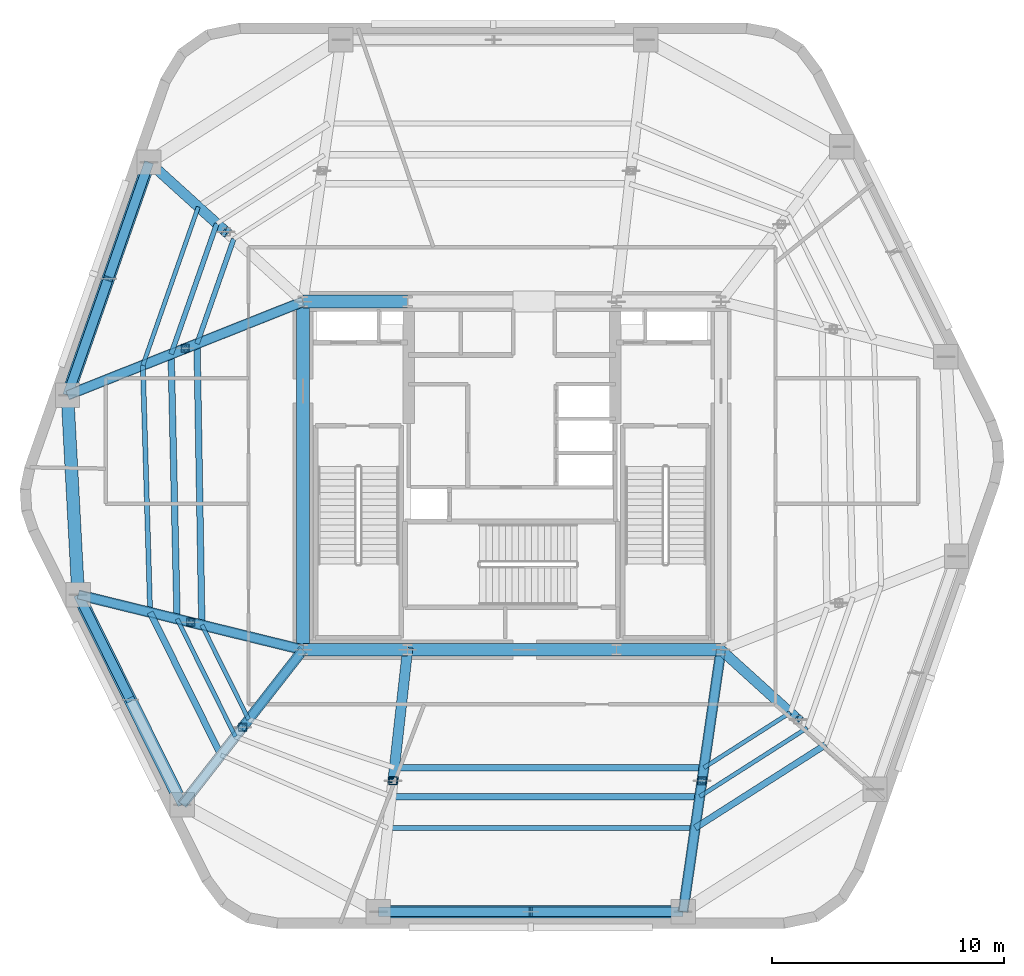
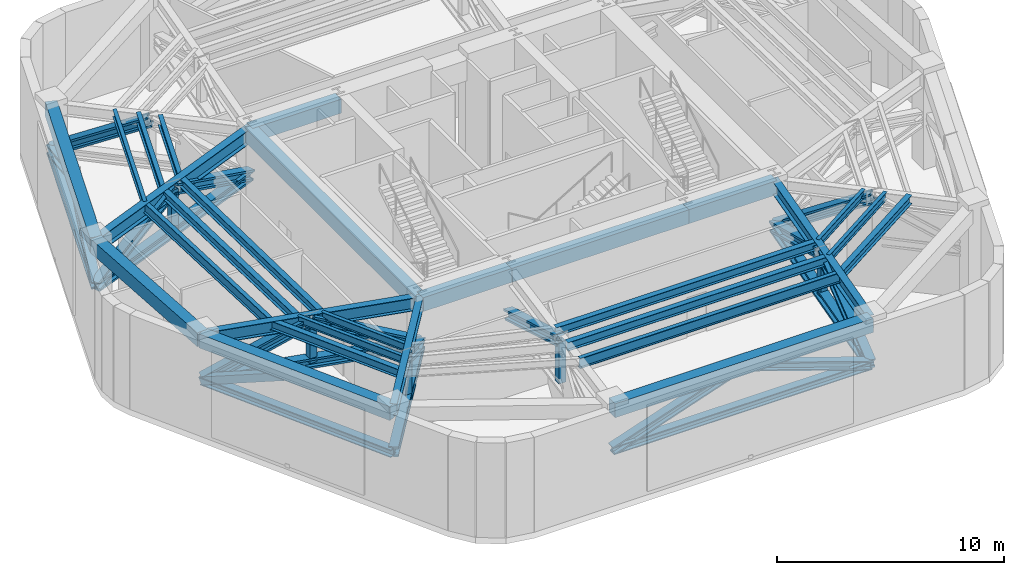
# One storey, part 2 of 10: 28 beams, 27 members.
"""IFC4 building model written with IfcOpenShell, lengths in metres."""

from ifc_helpers import new_model, si_unit, direction, frame, origin, origin_2d, place, context, subcontext, project, spatial, rectangle, hollow_rectangle, i_section, extrude, material, material_profile, profile_set, type_object, element, save


model = new_model("IFC4")

# Units and contexts
model_context = context("Model", 3, precision=1e-05, world=origin(), true_north=direction((0.0, 1.0)))
body_context = subcontext(model_context, "Body", "Model", "MODEL_VIEW")
ifc_project = project(units=[si_unit("LENGTHUNIT", "METRE"), si_unit("AREAUNIT", "SQUARE_METRE"), si_unit("VOLUMEUNIT", "CUBIC_METRE"), si_unit("PLANEANGLEUNIT", "RADIAN"), si_unit("MASSUNIT", "GRAM", prefix="KILO")], contexts=[model_context])

# Site, building, storey
site_placement = place(None, origin())
site = spatial("IfcSite", under=ifc_project, at=site_placement, CompositionType="ELEMENT")
building_placement = place(site_placement, origin())
building = spatial("IfcBuilding", under=site, at=building_placement, Name="Kilnhurst Terrace Hotel", CompositionType="ELEMENT")
storey_placement = place(building_placement, frame((0.0, 0.0, 170.199951171875)))
storey = spatial("IfcBuildingStorey", under=building, at=storey_placement, Name="L42", CompositionType="ELEMENT", Elevation=170.199951171875)

# Beams
ifc_material_1 = material(Name="Concrete C50/60", Category="concrete")
ifc_material_profile_1 = material_profile(ifc_material_1, rectangle(XDim=0.550048828125, YDim=0.75, at=origin_2d()), Name="RC550X750")
ifc_profile_set_1 = profile_set([ifc_material_profile_1], Name="Concrete C50/60")
beam_type_1 = type_object("IfcBeamType", Name="BM-SPN-550X750", PredefinedType="SPANDREL", material=ifc_profile_set_1)
for number, where, z_axis, x_axis, name in (
    (1, (-9.0, 7.5, 4.72509765625), (1.0, 0.0, 0.0), (0.0, 1.0, 0.0), "L42 Core Tie Beam CC-NW to CC-NC1"),
    (2, (-9.0, -7.5, 4.72509765625), (1.0, 0.0, 0.0), (0.0, 1.0, 0.0), "L42 Core Tie Beam CC-SW to CC-SC1"),
):
    element("IfcBeam", number, at=place(storey_placement, frame(where, z_axis=z_axis, x_axis=x_axis)), inside=storey, type_object=beam_type_1, Name=name, PredefinedType="SPANDREL", context=body_context, shape_type="SweptSolid", body=[
        extrude(rectangle(XDim=0.550048828125, YDim=0.75, at=origin_2d()), origin(), (0.0, 0.0, 1.0), 4.5),
    ])
beam_1_placement = place(storey_placement, frame((-4.5, -7.5, 4.72509765625), z_axis=(1.0, 0.0, 0.0), x_axis=(0.0, 1.0, 0.0)))
element("IfcBeam", 3, at=beam_1_placement, inside=storey, type_object=beam_type_1, Name="L42 Core Tie Beam CC-SC1 to CC-SC2", PredefinedType="SPANDREL", context=body_context, shape_type="SweptSolid", body=[
    extrude(rectangle(XDim=0.550048828125, YDim=0.75, at=origin_2d()), origin(), (0.0, 0.0, 1.0), 9.0),
])
beam_2_placement = place(storey_placement, frame((4.5, -7.5, 4.72509765625), z_axis=(1.0, 0.0, 0.0), x_axis=(0.0, 1.0, 0.0)))
element("IfcBeam", 4, at=beam_2_placement, inside=storey, type_object=beam_type_1, Name="L42 Core Tie Beam CC-SC2 to CC-SE", PredefinedType="SPANDREL", context=body_context, shape_type="SweptSolid", body=[
    extrude(rectangle(XDim=0.550048828125, YDim=0.75, at=origin_2d()), origin(), (0.0, 0.0, 1.0), 4.5),
])
beam_3_placement = place(storey_placement, frame((-9.0, -7.5, 4.72509765625), z_axis=(0.0, 1.0, 0.0), x_axis=(-1.0, 0.0, 0.0)))
element("IfcBeam", 5, at=beam_3_placement, inside=storey, type_object=beam_type_1, Name="L42 Core Tie Beam CC-SW to CC-NW", PredefinedType="SPANDREL", context=body_context, shape_type="SweptSolid", body=[
    extrude(rectangle(XDim=0.550048828125, YDim=0.75, at=origin_2d()), origin(), (0.0, 0.0, 1.0), 15.0),
])
beam_4_placement = place(storey_placement, frame((-5.7548828125, -18.780029296875, 4.72509765625), z_axis=(1.0, 0.0, 0.0), x_axis=(0.0, 1.0, 0.0)))
element("IfcBeam", 6, at=beam_4_placement, inside=storey, type_object=beam_type_1, Name="L42 Perimeter Spandrel Beam 1", PredefinedType="SPANDREL", context=body_context, shape_type="SweptSolid", body=[
    extrude(rectangle(XDim=0.550048828125, YDim=0.75, at=origin_2d()), origin(), (0.0, 0.0, 1.0), 13.123779296875),
])
beam_5_placement = place(storey_placement, frame((-15.633056640625, 13.5048828125, 4.72509765625), z_axis=(-0.330488460168, -0.943810032632, 0.0), x_axis=(0.943810032632, -0.330488460168, 0.0)))
element("IfcBeam", 7, at=beam_5_placement, inside=storey, type_object=beam_type_1, Name="L42 Perimeter Spandrel Beam 9", PredefinedType="SPANDREL", context=body_context, shape_type="SweptSolid", body=[
    extrude(rectangle(XDim=0.550048828125, YDim=0.75, at=origin_2d()), origin(), (0.0, 0.0, 1.0), 10.635498046875),
])
beam_6_placement = place(storey_placement, frame((-19.14794921875, 3.467041015625, 4.72509765625), z_axis=(0.053576072051, -0.998563770875, 0.0), x_axis=(0.998563770875, 0.053576072051, 0.0)))
element("IfcBeam", 8, at=beam_6_placement, inside=storey, type_object=beam_type_1, Name="L42 Perimeter Spandrel Beam 10", PredefinedType="SPANDREL", context=body_context, shape_type="SweptSolid", body=[
    extrude(rectangle(XDim=0.550048828125, YDim=0.75, at=origin_2d()), origin(), (0.0, 0.0, 1.0), 8.603515625),
])
beam_7_placement = place(storey_placement, frame((-18.68701171875, -5.1240234375, 4.72509765625), z_axis=(0.444192032261, -0.895931603682, 0.0), x_axis=(0.895931603682, 0.444192032261, 0.0)))
element("IfcBeam", 9, at=beam_7_placement, inside=storey, type_object=beam_type_1, Name="L42 Perimeter Spandrel Beam 11", PredefinedType="SPANDREL", context=body_context, shape_type="SweptSolid", body=[
    extrude(rectangle(XDim=0.550048828125, YDim=0.75, at=origin_2d()), origin(), (0.0, 0.0, 1.0), 10.09228515625),
])
ifc_material_2 = material(Name="Steel ASTM A992 Grade 50", Category="steel")
ifc_material_profile_2 = material_profile(ifc_material_2, i_section(OverallWidth=0.3251953125, OverallDepth=0.6162109375, WebThickness=0.013916015625, FlangeThickness=0.021484375, at=origin_2d()), Name="W24X117")
ifc_profile_set_2 = profile_set([ifc_material_profile_2], Name="Steel ASTM A992 Grade 50")
beam_type_2 = type_object("IfcBeamType", Name="BM-STL-W24X117", PredefinedType="BEAM", material=ifc_profile_set_2)
beam_8_placement = place(storey_placement, frame((-9.0, -7.5, 4.7919921875), z_axis=(-0.615370616457, -0.78823791104, 0.0), x_axis=(0.78823791104, -0.615370616457, 0.0)))
element("IfcBeam", 10, at=beam_8_placement, inside=storey, type_object=beam_type_2, Name="L42 Radial Floor Beam 12", PredefinedType="BEAM", context=body_context, shape_type="SweptSolid", body=[
    extrude(i_section(OverallWidth=0.3251953125, OverallDepth=0.6162109375, WebThickness=0.013916015625, FlangeThickness=0.021484375, at=origin_2d()), origin(), (0.0, 0.0, 1.0), 8.456787109375),
])
ifc_material_profile_3 = material_profile(ifc_material_2, i_section(OverallWidth=0.354736328125, OverallDepth=0.695556640625, WebThickness=0.015380859375, FlangeThickness=0.025146484375, at=origin_2d()), Name="W27X146")
ifc_profile_set_3 = profile_set([ifc_material_profile_3], Name="Steel ASTM A992 Grade 50")
beam_type_3 = type_object("IfcBeamType", Name="BM-STL-W27X146", PredefinedType="BEAM", material=ifc_profile_set_3)
beam_9_placement = place(storey_placement, frame((9.0, -7.5, 4.751953125), z_axis=(-0.143112538238, -0.989706421824, 0.0), x_axis=(0.989706421824, -0.143112538238, 0.0)))
element("IfcBeam", 11, at=beam_9_placement, inside=storey, type_object=beam_type_3, Name="L42 Radial Floor Beam 2", PredefinedType="BEAM", context=body_context, shape_type="SweptSolid", body=[
    extrude(i_section(OverallWidth=0.354736328125, OverallDepth=0.695556640625, WebThickness=0.015380859375, FlangeThickness=0.025146484375, at=origin_2d()), origin(), (0.0, 0.0, 1.0), 11.3974609375),
])
beam_10_placement = place(storey_placement, frame((-9.0, -7.5, 4.751953125), z_axis=(-0.971212767405, 0.238213686486, 0.0), x_axis=(-0.238213686486, -0.971212767405, 0.0)))
element("IfcBeam", 12, at=beam_10_placement, inside=storey, type_object=beam_type_3, Name="L42 Radial Floor Beam 11", PredefinedType="BEAM", context=body_context, shape_type="SweptSolid", body=[
    extrude(i_section(OverallWidth=0.354736328125, OverallDepth=0.695556640625, WebThickness=0.015380859375, FlangeThickness=0.025146484375, at=origin_2d()), origin(), (0.0, 0.0, 1.0), 9.97412109375),
])
ifc_material_profile_4 = material_profile(ifc_material_2, i_section(OverallWidth=0.380615234375, OverallDepth=0.773193359375, WebThickness=0.0166015625, FlangeThickness=0.027099609375, at=origin_2d()), Name="W30X173")
ifc_profile_set_4 = profile_set([ifc_material_profile_4], Name="Steel ASTM A992 Grade 50")
beam_type_4 = type_object("IfcBeamType", Name="BM-STL-W30X173", PredefinedType="BEAM", material=ifc_profile_set_4)
beam_11_placement = place(storey_placement, frame((-9.0, 7.5, 4.713134765625), z_axis=(-0.929302373458, -0.369319778356, 0.0), x_axis=(0.369319778356, -0.929302373458, 0.0)))
element("IfcBeam", 13, at=beam_11_placement, inside=storey, type_object=beam_type_4, Name="L42 Radial Floor Beam 10", PredefinedType="BEAM", context=body_context, shape_type="SweptSolid", body=[
    extrude(i_section(OverallWidth=0.380615234375, OverallDepth=0.773193359375, WebThickness=0.0166015625, FlangeThickness=0.027099609375, at=origin_2d()), origin(), (0.0, 0.0, 1.0), 10.919921875),
])
ifc_material_profile_5 = material_profile(ifc_material_2, i_section(OverallWidth=0.180908203125, OverallDepth=0.417236328125, WebThickness=0.010986328125, FlangeThickness=0.018310546875, at=origin_2d()), Name="W16X57")
ifc_profile_set_5 = profile_set([ifc_material_profile_5], Name="Steel ASTM A992 Grade 50")
beam_type_5 = type_object("IfcBeamType", Name="JST-STL-W16X57", PredefinedType="JOIST", material=ifc_profile_set_5)
beam_12_placement = place(storey_placement, frame((-13.510498046875, 11.58349609375, 4.89111328125), z_axis=(-0.330481239411, -0.943812561051, 0.0), x_axis=(0.943812561051, -0.330481239411, 0.0)))
element("IfcBeam", 14, at=beam_12_placement, inside=storey, type_object=beam_type_5, Name="L42 Secondary Floor Steel Joist OUT.9", PredefinedType="JOIST", context=body_context, shape_type="SweptSolid", body=[
    extrude(i_section(OverallWidth=0.180908203125, OverallDepth=0.417236328125, WebThickness=0.010986328125, FlangeThickness=0.018310546875, at=origin_2d()), origin(), (0.0, 0.0, 1.0), 7.232177734375),
])
beam_13_placement = place(storey_placement, frame((8.26611328125, -12.575927734375, 4.89111328125), z_axis=(0.842910995806, 0.53805302076, 0.0), x_axis=(-0.53805302076, 0.842910995806, 0.0)))
element("IfcBeam", 15, at=beam_13_placement, inside=storey, type_object=beam_type_5, Name="L42 Secondary Floor Steel Joist IN.2", PredefinedType="JOIST", context=body_context, shape_type="SweptSolid", body=[
    extrude(i_section(OverallWidth=0.180908203125, OverallDepth=0.417236328125, WebThickness=0.010986328125, FlangeThickness=0.018310546875, at=origin_2d()), origin(), (0.0, 0.0, 1.0), 4.411865234375),
])
beam_14_placement = place(storey_placement, frame((-13.359130859375, -6.430908203125, 4.89111328125), z_axis=(0.444200626094, -0.895927342912, 0.0), x_axis=(0.895927342912, 0.444200626094, 0.0)))
element("IfcBeam", 16, at=beam_14_placement, inside=storey, type_object=beam_type_5, Name="L42 Secondary Floor Steel Joist IN.11", PredefinedType="JOIST", context=body_context, shape_type="SweptSolid", body=[
    extrude(i_section(OverallWidth=0.180908203125, OverallDepth=0.417236328125, WebThickness=0.010986328125, FlangeThickness=0.018310546875, at=origin_2d()), origin(), (0.0, 0.0, 1.0), 4.54150390625),
])
beam_15_placement = place(storey_placement, frame((8.086669921875, -13.81689453125, 4.89111328125), z_axis=(0.842913627897, 0.538048897318, 0.0), x_axis=(-0.538048897318, 0.842913627897, 0.0)))
element("IfcBeam", 17, at=beam_15_placement, inside=storey, type_object=beam_type_5, Name="L42 Secondary Floor Steel Joist MID.2", PredefinedType="JOIST", context=body_context, shape_type="SweptSolid", body=[
    extrude(i_section(OverallWidth=0.180908203125, OverallDepth=0.417236328125, WebThickness=0.010986328125, FlangeThickness=0.018310546875, at=origin_2d()), origin(), (0.0, 0.0, 1.0), 5.490478515625),
])
beam_16_placement = place(storey_placement, frame((-14.4248046875, -6.16943359375, 4.89111328125), z_axis=(0.444204491744, -0.895925426313, 0.0), x_axis=(0.895925426313, 0.444204491744, 0.0)))
element("IfcBeam", 18, at=beam_16_placement, inside=storey, type_object=beam_type_5, Name="L42 Secondary Floor Steel Joist MID.11", PredefinedType="JOIST", context=body_context, shape_type="SweptSolid", body=[
    extrude(i_section(OverallWidth=0.180908203125, OverallDepth=0.417236328125, WebThickness=0.010986328125, FlangeThickness=0.018310546875, at=origin_2d()), origin(), (0.0, 0.0, 1.0), 5.651611328125),
])
ifc_material_profile_6 = material_profile(ifc_material_2, i_section(OverallWidth=0.279296875, OverallDepth=0.462890625, WebThickness=0.0107421875, FlangeThickness=0.017333984375, at=origin_2d()), Name="W18X76")
ifc_profile_set_6 = profile_set([ifc_material_profile_6], Name="Steel ASTM A992 Grade 50")
beam_type_6 = type_object("IfcBeamType", Name="JST-STL-W18X76", PredefinedType="JOIST", material=ifc_profile_set_6)
beam_17_placement = place(storey_placement, frame((7.890869140625, -15.17041015625, 4.8681640625), z_axis=(0.842927863369, 0.538026595213, 0.0), x_axis=(-0.538026595213, 0.842927863369, 0.0)))
element("IfcBeam", 19, at=beam_17_placement, inside=storey, type_object=beam_type_6, Name="L42 Secondary Floor Steel Joist OUT.2", PredefinedType="JOIST", context=body_context, shape_type="SweptSolid", body=[
    extrude(i_section(OverallWidth=0.279296875, OverallDepth=0.462890625, WebThickness=0.0107421875, FlangeThickness=0.017333984375, at=origin_2d()), origin(), (0.0, 0.0, 1.0), 6.666748046875),
])
beam_18_placement = place(storey_placement, frame((-15.587158203125, -5.88427734375, 4.8681640625), z_axis=(0.444180101574, -0.895937518673, 0.0), x_axis=(0.895937518673, 0.444180101574, 0.0)))
element("IfcBeam", 20, at=beam_18_placement, inside=storey, type_object=beam_type_6, Name="L42 Secondary Floor Steel Joist OUT.11", PredefinedType="JOIST", context=body_context, shape_type="SweptSolid", body=[
    extrude(i_section(OverallWidth=0.279296875, OverallDepth=0.462890625, WebThickness=0.0107421875, FlangeThickness=0.017333984375, at=origin_2d()), origin(), (0.0, 0.0, 1.0), 6.86279296875),
])
beam_19_placement = place(storey_placement, frame((-5.064697265625, -12.575927734375, 4.8681640625), z_axis=(1.0, 0.0, 0.0), x_axis=(0.0, 1.0, 0.0)))
element("IfcBeam", 21, at=beam_19_placement, inside=storey, type_object=beam_type_6, Name="L42 Secondary Floor Steel Joist IN.1", PredefinedType="JOIST", context=body_context, shape_type="SweptSolid", body=[
    extrude(i_section(OverallWidth=0.279296875, OverallDepth=0.462890625, WebThickness=0.0107421875, FlangeThickness=0.017333984375, at=origin_2d()), origin(), (0.0, 0.0, 1.0), 13.330810546875),
])
beam_20_placement = place(storey_placement, frame((-13.566650390625, 5.685302734375, 4.8681640625), z_axis=(0.017124916462, -0.999853357866, 0.0), x_axis=(0.999853357866, 0.017124916462, 0.0)))
element("IfcBeam", 22, at=beam_20_placement, inside=storey, type_object=beam_type_6, Name="L42 Secondary Floor Steel Joist IN.10", PredefinedType="JOIST", context=body_context, shape_type="SweptSolid", body=[
    extrude(i_section(OverallWidth=0.279296875, OverallDepth=0.462890625, WebThickness=0.0107421875, FlangeThickness=0.017333984375, at=origin_2d()), origin(), (0.0, 0.0, 1.0), 12.117919921875),
])
beam_21_placement = place(storey_placement, frame((-5.202880859375, -13.81689453125, 4.8681640625), z_axis=(1.0, 0.0, 0.0), x_axis=(0.0, 1.0, 0.0)))
element("IfcBeam", 23, at=beam_21_placement, inside=storey, type_object=beam_type_6, Name="L42 Secondary Floor Steel Joist MID.1", PredefinedType="JOIST", context=body_context, shape_type="SweptSolid", body=[
    extrude(i_section(OverallWidth=0.279296875, OverallDepth=0.462890625, WebThickness=0.0107421875, FlangeThickness=0.017333984375, at=origin_2d()), origin(), (0.0, 0.0, 1.0), 13.28955078125),
])
beam_22_placement = place(storey_placement, frame((-14.682861328125, 5.241455078125, 4.8681640625), z_axis=(0.022609166003, -0.999744380136, 0.0), x_axis=(0.999744380136, 0.022609166003, 0.0)))
element("IfcBeam", 24, at=beam_22_placement, inside=storey, type_object=beam_type_6, Name="L42 Secondary Floor Steel Joist MID.10", PredefinedType="JOIST", context=body_context, shape_type="SweptSolid", body=[
    extrude(i_section(OverallWidth=0.279296875, OverallDepth=0.462890625, WebThickness=0.0107421875, FlangeThickness=0.017333984375, at=origin_2d()), origin(), (0.0, 0.0, 1.0), 11.413818359375),
])
ifc_material_profile_7 = material_profile(ifc_material_2, i_section(OverallWidth=0.2138671875, OverallDepth=0.549072265625, WebThickness=0.0146484375, FlangeThickness=0.023681640625, at=origin_2d()), Name="W21X93")
ifc_profile_set_7 = profile_set([ifc_material_profile_7], Name="Steel ASTM A992 Grade 50")
beam_type_7 = type_object("IfcBeamType", Name="JST-STL-W21X93", PredefinedType="JOIST", material=ifc_profile_set_7)
beam_23_placement = place(storey_placement, frame((-5.353515625, -15.17041015625, 4.824951171875), z_axis=(1.0, 0.0, 0.0), x_axis=(0.0, 1.0, 0.0)))
element("IfcBeam", 25, at=beam_23_placement, inside=storey, type_object=beam_type_7, Name="L42 Secondary Floor Steel Joist OUT.1", PredefinedType="JOIST", context=body_context, shape_type="SweptSolid", body=[
    extrude(i_section(OverallWidth=0.2138671875, OverallDepth=0.549072265625, WebThickness=0.0146484375, FlangeThickness=0.023681640625, at=origin_2d()), origin(), (0.0, 0.0, 1.0), 13.244384765625),
])
beam_24_placement = place(storey_placement, frame((-15.900634765625, 4.757568359375, 4.824951171875), z_axis=(0.029444201298, -0.999566425512, 0.0), x_axis=(0.999566425512, 0.029444201298, 0.0)))
element("IfcBeam", 26, at=beam_24_placement, inside=storey, type_object=beam_type_7, Name="L42 Secondary Floor Steel Joist OUT.10", PredefinedType="JOIST", context=body_context, shape_type="SweptSolid", body=[
    extrude(i_section(OverallWidth=0.2138671875, OverallDepth=0.549072265625, WebThickness=0.0146484375, FlangeThickness=0.023681640625, at=origin_2d()), origin(), (0.0, 0.0, 1.0), 10.646484375),
])
beam_25_placement = place(storey_placement, frame((-11.98486328125, 10.2021484375, 4.824951171875), z_axis=(-0.330516298629, -0.943800284139, 0.0), x_axis=(0.943800284139, -0.330516298629, 0.0)))
element("IfcBeam", 27, at=beam_25_placement, inside=storey, type_object=beam_type_7, Name="L42 Secondary Floor Steel Joist IN.9", PredefinedType="JOIST", context=body_context, shape_type="SweptSolid", body=[
    extrude(i_section(OverallWidth=0.2138671875, OverallDepth=0.549072265625, WebThickness=0.0146484375, FlangeThickness=0.023681640625, at=origin_2d()), origin(), (0.0, 0.0, 1.0), 4.785888671875),
])
beam_26_placement = place(storey_placement, frame((-12.714599609375, 10.86279296875, 4.824951171875), z_axis=(-0.330469104178, -0.943816810183, 0.0), x_axis=(0.943816810183, -0.330469104178, 0.0)))
element("IfcBeam", 28, at=beam_26_placement, inside=storey, type_object=beam_type_7, Name="L42 Secondary Floor Steel Joist MID.9", PredefinedType="JOIST", context=body_context, shape_type="SweptSolid", body=[
    extrude(i_section(OverallWidth=0.2138671875, OverallDepth=0.549072265625, WebThickness=0.0146484375, FlangeThickness=0.023681640625, at=origin_2d()), origin(), (0.0, 0.0, 1.0), 5.9560546875),
])

# Members
ifc_material_profile_8 = material_profile(ifc_material_2, i_section(OverallWidth=0.41845703125, OverallDepth=0.455078125, WebThickness=0.0419921875, FlangeThickness=0.067626953125, at=origin_2d()), Name="W14X370")
ifc_profile_set_8 = profile_set([ifc_material_profile_8], Name="Steel ASTM A992 Grade 50")
member_type_1 = type_object("IfcMemberType", Name="MEM-BLT-DIAG-370", PredefinedType="BRACE", material=ifc_profile_set_8)
member_1_placement = place(storey_placement, frame((-5.7548828125, -18.780029296875, 2.52001953125), z_axis=(0.946817613488, 0.0, 0.321770736377), x_axis=(0.0, 1.0, 0.0)))
element("IfcMember", 29, at=member_1_placement, inside=storey, type_object=member_type_1, Name="L42 Belt Truss Left Diagonal 1", PredefinedType="BRACE", context=body_context, shape_type="SweptSolid", body=[
    extrude(i_section(OverallWidth=0.41845703125, OverallDepth=0.455078125, WebThickness=0.0419921875, FlangeThickness=0.067626953125, at=origin_2d()), origin(), (0.0, 0.0, 1.0), 6.930419921875),
])
member_2_placement = place(storey_placement, frame((7.368896484375, -18.780029296875, 2.52001953125), z_axis=(-0.946821260666, 0.0, 0.321760004276), x_axis=(0.0, -1.0, 0.0)))
element("IfcMember", 30, at=member_2_placement, inside=storey, type_object=member_type_1, Name="L42 Belt Truss Right Diagonal 1", PredefinedType="BRACE", context=body_context, shape_type="SweptSolid", body=[
    extrude(i_section(OverallWidth=0.41845703125, OverallDepth=0.455078125, WebThickness=0.0419921875, FlangeThickness=0.067626953125, at=origin_2d()), origin(), (0.0, 0.0, 1.0), 6.9306640625),
])
member_3_placement = place(storey_placement, frame((-15.633056640625, 13.5048828125, 2.52001953125), z_axis=(-0.304684863514, -0.870401158873, 0.386741459607), x_axis=(0.943843323583, -0.330393372404, 0.0)))
element("IfcMember", 31, at=member_3_placement, inside=storey, type_object=member_type_1, Name="L42 Belt Truss Left Diagonal 5", PredefinedType="BRACE", context=body_context, shape_type="SweptSolid", body=[
    extrude(i_section(OverallWidth=0.41845703125, OverallDepth=0.455078125, WebThickness=0.0419921875, FlangeThickness=0.067626953125, at=origin_2d()), origin(), (0.0, 0.0, 1.0), 5.76611328125),
])
member_4_placement = place(storey_placement, frame((-19.14794921875, 3.467041015625, 2.52001953125), z_axis=(0.30486566214, 0.870355267639, 0.38670225774), x_axis=(-0.94377673607, 0.330583533245, 0.0)))
element("IfcMember", 32, at=member_4_placement, inside=storey, type_object=member_type_1, Name="L42 Belt Truss Right Diagonal 5", PredefinedType="BRACE", context=body_context, shape_type="SweptSolid", body=[
    extrude(i_section(OverallWidth=0.41845703125, OverallDepth=0.455078125, WebThickness=0.0419921875, FlangeThickness=0.067626953125, at=origin_2d()), origin(), (0.0, 0.0, 1.0), 5.7666015625),
])
ifc_material_3 = material(Name="Steel ASTM A500 Grade C", Category="steel")
ifc_material_profile_9 = material_profile(ifc_material_3, hollow_rectangle(XDim=0.39990234375, YDim=0.39990234375, WallThickness=0.01611328125, at=origin_2d()), Name="HSS400X400X16")
ifc_profile_set_9 = profile_set([ifc_material_profile_9], Name="Steel ASTM A500 Grade C")
member_type_2 = type_object("IfcMemberType", Name="MEM-BLT-HSS-400", PredefinedType="BRACE", material=ifc_profile_set_9)
member_5_placement = place(storey_placement, frame((-18.68701171875, -5.1240234375, 2.52001953125), z_axis=(0.406213944814, -0.819508642562, 0.404222483052), x_axis=(0.895970110451, 0.444114355969, 0.0)))
element("IfcMember", 33, at=member_5_placement, inside=storey, type_object=member_type_2, Name="L42 Belt Truss Left Diagonal 6", PredefinedType="BRACE", context=body_context, shape_type="SweptSolid", body=[
    extrude(hollow_rectangle(XDim=0.39990234375, YDim=0.39990234375, WallThickness=0.01611328125, at=origin_2d()), origin(), (0.0, 0.0, 1.0), 5.5166015625),
])
ifc_material_profile_10 = material_profile(ifc_material_2, i_section(OverallWidth=0.40625, OverallDepth=0.416015625, WebThickness=0.02978515625, FlangeThickness=0.048095703125, at=origin_2d()), Name="W14X257")
ifc_profile_set_10 = profile_set([ifc_material_profile_10], Name="Steel ASTM A992 Grade 50")
member_type_3 = type_object("IfcMemberType", Name="MEM-CHD-W14X257", PredefinedType="CHORD", material=ifc_profile_set_10)
member_6_placement = place(storey_placement, frame((-5.7548828125, -18.780029296875, 2.52001953125), z_axis=(1.0, 0.0, 0.0), x_axis=(0.0, 1.0, 0.0)))
element("IfcMember", 34, at=member_6_placement, inside=storey, type_object=member_type_3, Name="L42 Belt Truss Bottom Chord 1", PredefinedType="CHORD", context=body_context, shape_type="SweptSolid", body=[
    extrude(i_section(OverallWidth=0.40625, OverallDepth=0.416015625, WebThickness=0.02978515625, FlangeThickness=0.048095703125, at=origin_2d()), origin(), (0.0, 0.0, 1.0), 13.123779296875),
])
member_7_placement = place(storey_placement, frame((-15.633056640625, 13.5048828125, 2.52001953125), z_axis=(-0.330488460168, -0.943810032632, 0.0), x_axis=(0.943810032632, -0.330488460168, 0.0)))
element("IfcMember", 35, at=member_7_placement, inside=storey, type_object=member_type_3, Name="L42 Belt Truss Bottom Chord 5", PredefinedType="CHORD", context=body_context, shape_type="SweptSolid", body=[
    extrude(i_section(OverallWidth=0.40625, OverallDepth=0.416015625, WebThickness=0.02978515625, FlangeThickness=0.048095703125, at=origin_2d()), origin(), (0.0, 0.0, 1.0), 10.635498046875),
])
member_8_placement = place(storey_placement, frame((-18.68701171875, -5.1240234375, 2.52001953125), z_axis=(0.444192032261, -0.895931603682, 0.0), x_axis=(0.895931603682, 0.444192032261, 0.0)))
element("IfcMember", 36, at=member_8_placement, inside=storey, type_object=member_type_3, Name="L42 Belt Truss Bottom Chord 6", PredefinedType="CHORD", context=body_context, shape_type="SweptSolid", body=[
    extrude(i_section(OverallWidth=0.40625, OverallDepth=0.416015625, WebThickness=0.02978515625, FlangeThickness=0.048095703125, at=origin_2d()), origin(), (0.0, 0.0, 1.0), 10.09228515625),
])
ifc_material_profile_11 = material_profile(ifc_material_2, i_section(OverallWidth=0.44189453125, OverallDepth=0.531494140625, WebThickness=0.06591796875, FlangeThickness=0.105712890625, at=origin_2d()), Name="W14X605")
ifc_profile_set_11 = profile_set([ifc_material_profile_11], Name="Steel ASTM A992 Grade 50")
member_type_4 = type_object("IfcMemberType", Name="MEM-CHD-W14X605", PredefinedType="CHORD", material=ifc_profile_set_11)
member_9_placement = place(storey_placement, frame((9.0, -7.5, 2.52001953125), z_axis=(-0.143112538238, -0.989706421824, 0.0), x_axis=(0.989706421824, -0.143112538238, 0.0)))
element("IfcMember", 37, at=member_9_placement, inside=storey, type_object=member_type_4, Name="L42 Outrigger Bottom Chord 2", PredefinedType="CHORD", context=body_context, shape_type="SweptSolid", body=[
    extrude(i_section(OverallWidth=0.44189453125, OverallDepth=0.531494140625, WebThickness=0.06591796875, FlangeThickness=0.105712890625, at=origin_2d()), origin(), (0.0, 0.0, 1.0), 11.3974609375),
])
member_10_placement = place(storey_placement, frame((-9.0, 7.5, 2.52001953125), z_axis=(-0.929302373458, -0.369319778356, 0.0), x_axis=(0.369319778356, -0.929302373458, 0.0)))
element("IfcMember", 38, at=member_10_placement, inside=storey, type_object=member_type_4, Name="L42 Outrigger Bottom Chord 10", PredefinedType="CHORD", context=body_context, shape_type="SweptSolid", body=[
    extrude(i_section(OverallWidth=0.44189453125, OverallDepth=0.531494140625, WebThickness=0.06591796875, FlangeThickness=0.105712890625, at=origin_2d()), origin(), (0.0, 0.0, 1.0), 10.919921875),
])
member_11_placement = place(storey_placement, frame((-9.0, -7.5, 2.52001953125), z_axis=(-0.971212767405, 0.238213686486, 0.0), x_axis=(-0.238213686486, -0.971212767405, 0.0)))
element("IfcMember", 39, at=member_11_placement, inside=storey, type_object=member_type_4, Name="L42 Outrigger Bottom Chord 11", PredefinedType="CHORD", context=body_context, shape_type="SweptSolid", body=[
    extrude(i_section(OverallWidth=0.44189453125, OverallDepth=0.531494140625, WebThickness=0.06591796875, FlangeThickness=0.105712890625, at=origin_2d()), origin(), (0.0, 0.0, 1.0), 9.97412109375),
])
member_12_placement = place(storey_placement, frame((-9.0, -7.5, 2.52001953125), z_axis=(-0.615370616457, -0.78823791104, 0.0), x_axis=(0.78823791104, -0.615370616457, 0.0)))
element("IfcMember", 40, at=member_12_placement, inside=storey, type_object=member_type_4, Name="L42 Outrigger Bottom Chord 12", PredefinedType="CHORD", context=body_context, shape_type="SweptSolid", body=[
    extrude(i_section(OverallWidth=0.44189453125, OverallDepth=0.531494140625, WebThickness=0.06591796875, FlangeThickness=0.105712890625, at=origin_2d()), origin(), (0.0, 0.0, 1.0), 8.456787109375),
])
ifc_material_profile_12 = material_profile(ifc_material_2, i_section(OverallWidth=0.44189453125, OverallDepth=0.531494140625, WebThickness=0.06591796875, FlangeThickness=0.105712890625, at=origin_2d()), Name="W14X605")
ifc_profile_set_12 = profile_set([ifc_material_profile_12], Name="Steel ASTM A992 Grade 50")
member_type_5 = type_object("IfcMemberType", Name="MEM-OTR-DIAG-605", PredefinedType="BRACE", material=ifc_profile_set_12)
member_13_placement = place(storey_placement, frame((-4.5, -7.5, 2.52001953125), z_axis=(-0.10282858006, -0.925016755437, 0.365746203375), x_axis=(0.993877961917, -0.110483468517, 0.0)))
element("IfcMember", 41, at=member_13_placement, inside=storey, type_object=member_type_5, Name="L42 Outrigger Inner Diagonal 1", PredefinedType="BRACE", context=body_context, shape_type="SweptSolid", body=[
    extrude(i_section(OverallWidth=0.44189453125, OverallDepth=0.531494140625, WebThickness=0.06591796875, FlangeThickness=0.105712890625, at=origin_2d()), origin(), (0.0, 0.0, 1.0), 6.09716796875),
])
member_14_placement = place(storey_placement, frame((9.0, -7.5, 2.52001953125), z_axis=(-0.133333238255, -0.9216430691, 0.364412267571), x_axis=(0.989696878687, -0.14317851905, 0.0)))
element("IfcMember", 42, at=member_14_placement, inside=storey, type_object=member_type_5, Name="L42 Outrigger Inner Diagonal 2", PredefinedType="BRACE", context=body_context, shape_type="SweptSolid", body=[
    extrude(i_section(OverallWidth=0.44189453125, OverallDepth=0.531494140625, WebThickness=0.06591796875, FlangeThickness=0.105712890625, at=origin_2d()), origin(), (0.0, 0.0, 1.0), 6.119384765625),
])
member_15_placement = place(storey_placement, frame((8.18408203125, -13.139892578125, 4.75), z_axis=(-0.13321077617, -0.9216637769, -0.364404680902), x_axis=(0.989715960333, -0.143046558374, 0.0)))
element("IfcMember", 43, at=member_15_placement, inside=storey, type_object=member_type_5, Name="L42 Outrigger Outer Diagonal 2", PredefinedType="BRACE", context=body_context, shape_type="SweptSolid", body=[
    extrude(i_section(OverallWidth=0.44189453125, OverallDepth=0.531494140625, WebThickness=0.06591796875, FlangeThickness=0.105712890625, at=origin_2d()), origin(), (0.0, 0.0, 1.0), 6.11962890625),
])
member_16_placement = place(storey_placement, frame((9.0, -7.5, 2.52001953125), z_axis=(0.663373192012, -0.600757639652, 0.446123600047), x_axis=(0.671259067222, 0.741222817155, 0.0)))
element("IfcMember", 44, at=member_16_placement, inside=storey, type_object=member_type_5, Name="L42 Outrigger Inner Diagonal 3", PredefinedType="BRACE", context=body_context, shape_type="SweptSolid", body=[
    extrude(i_section(OverallWidth=0.44189453125, OverallDepth=0.531494140625, WebThickness=0.06591796875, FlangeThickness=0.105712890625, at=origin_2d()), origin(), (0.0, 0.0, 1.0), 4.99853515625),
])
member_17_placement = place(storey_placement, frame((-12.31591796875, 10.5029296875, 4.75), z_axis=(-0.663587752318, 0.600535438471, -0.446103667452), x_axis=(-0.671003340537, -0.741454325625, 0.0)))
element("IfcMember", 45, at=member_17_placement, inside=storey, type_object=member_type_5, Name="L42 Outrigger Outer Diagonal 9", PredefinedType="BRACE", context=body_context, shape_type="SweptSolid", body=[
    extrude(i_section(OverallWidth=0.44189453125, OverallDepth=0.531494140625, WebThickness=0.06591796875, FlangeThickness=0.105712890625, at=origin_2d()), origin(), (0.0, 0.0, 1.0), 4.998779296875),
])
member_18_placement = place(storey_placement, frame((-9.0, 7.5, 2.52001953125), z_axis=(-0.860332579943, -0.341847974073, 0.378110849502), x_axis=(0.369261852789, -0.929325391924, 0.0)))
element("IfcMember", 46, at=member_18_placement, inside=storey, type_object=member_type_5, Name="L42 Outrigger Inner Diagonal 10", PredefinedType="BRACE", context=body_context, shape_type="SweptSolid", body=[
    extrude(i_section(OverallWidth=0.44189453125, OverallDepth=0.531494140625, WebThickness=0.06591796875, FlangeThickness=0.105712890625, at=origin_2d()), origin(), (0.0, 0.0, 1.0), 5.897705078125),
])
member_19_placement = place(storey_placement, frame((-14.073974609375, 5.48388671875, 4.75), z_axis=(-0.860296051599, -0.341957642412, -0.37809479552), x_axis=(0.369377699619, -0.929279352522, 0.0)))
element("IfcMember", 47, at=member_19_placement, inside=storey, type_object=member_type_5, Name="L42 Outrigger Outer Diagonal 10", PredefinedType="BRACE", context=body_context, shape_type="SweptSolid", body=[
    extrude(i_section(OverallWidth=0.44189453125, OverallDepth=0.531494140625, WebThickness=0.06591796875, FlangeThickness=0.105712890625, at=origin_2d()), origin(), (0.0, 0.0, 1.0), 5.89794921875),
])
member_20_placement = place(storey_placement, frame((-9.0, -7.5, 2.52001953125), z_axis=(-0.886631222598, 0.217446072736, 0.4081694263), x_axis=(-0.23819103662, -0.971218322559, 0.0)))
element("IfcMember", 48, at=member_20_placement, inside=storey, type_object=member_type_5, Name="L42 Outrigger Inner Diagonal 11", PredefinedType="BRACE", context=body_context, shape_type="SweptSolid", body=[
    extrude(i_section(OverallWidth=0.44189453125, OverallDepth=0.531494140625, WebThickness=0.06591796875, FlangeThickness=0.105712890625, at=origin_2d()), origin(), (0.0, 0.0, 1.0), 5.46337890625),
])
member_21_placement = place(storey_placement, frame((-13.843994140625, -6.31201171875, 4.75), z_axis=(-0.886592982131, 0.217480538945, -0.408234123042), x_axis=(-0.23823634053, -0.971207210667, 0.0)))
element("IfcMember", 49, at=member_21_placement, inside=storey, type_object=member_type_5, Name="L42 Outrigger Outer Diagonal 11", PredefinedType="BRACE", context=body_context, shape_type="SweptSolid", body=[
    extrude(i_section(OverallWidth=0.44189453125, OverallDepth=0.531494140625, WebThickness=0.06591796875, FlangeThickness=0.105712890625, at=origin_2d()), origin(), (0.0, 0.0, 1.0), 5.46240234375),
])
member_22_placement = place(storey_placement, frame((-9.0, -7.5, 2.52001953125), z_axis=(-0.544314179642, -0.697220602408, 0.466482052622), x_axis=(0.78823791104, -0.615370616457, 0.0)))
element("IfcMember", 50, at=member_22_placement, inside=storey, type_object=member_type_5, Name="L42 Outrigger Inner Diagonal 12", PredefinedType="BRACE", context=body_context, shape_type="SweptSolid", body=[
    extrude(i_section(OverallWidth=0.44189453125, OverallDepth=0.531494140625, WebThickness=0.06591796875, FlangeThickness=0.105712890625, at=origin_2d()), origin(), (0.0, 0.0, 1.0), 4.780517578125),
])
ifc_material_profile_13 = material_profile(ifc_material_3, hollow_rectangle(XDim=0.35009765625, YDim=0.35009765625, WallThickness=0.01611328125, at=origin_2d()), Name="HSS350X350X16")
ifc_profile_set_13 = profile_set([ifc_material_profile_13], Name="Steel ASTM A500 Grade C")
member_type_6 = type_object("IfcMemberType", Name="MEM-STR-HSS350", PredefinedType="STRUT", material=ifc_profile_set_13)
for number, where, z_axis, x_axis, name in (
    (51, (-5.126953125, -13.139892578125, 2.52001953125), (0.0, 0.0, 1.0), (1.0, 0.0, 0.0), "L42 Outrigger Web Post 1"),
    (52, (8.18408203125, -13.139892578125, 2.52001953125), (0.0, 0.0, 1.0), (1.0, 0.0, 0.0), "L42 Outrigger Web Post 2"),
    (53, (-14.073974609375, 5.48388671875, 2.52001953125), (0.0, 0.0, 1.0), (1.0, 0.0, 0.0), "L42 Outrigger Web Post 10"),
    (54, (-13.843994140625, -6.31201171875, 2.52001953125), (0.0, 0.0, 1.0), (1.0, 0.0, 0.0), "L42 Outrigger Web Post 11"),
    (55, (-11.60205078125, -10.8330078125, 2.52001953125), (0.0, 0.0, 1.0), (1.0, 0.0, 0.0), "L42 Outrigger Web Post 12"),
):
    element("IfcMember", number, at=place(storey_placement, frame(where, z_axis=z_axis, x_axis=x_axis)), inside=storey, type_object=member_type_6, Name=name, PredefinedType="STRUT", context=body_context, shape_type="SweptSolid", body=[
        extrude(hollow_rectangle(XDim=0.35009765625, YDim=0.35009765625, WallThickness=0.01611328125, at=origin_2d()), origin(), (0.0, 0.0, 1.0), 2.22998046875),
    ])

save(model, "model.ifc")
